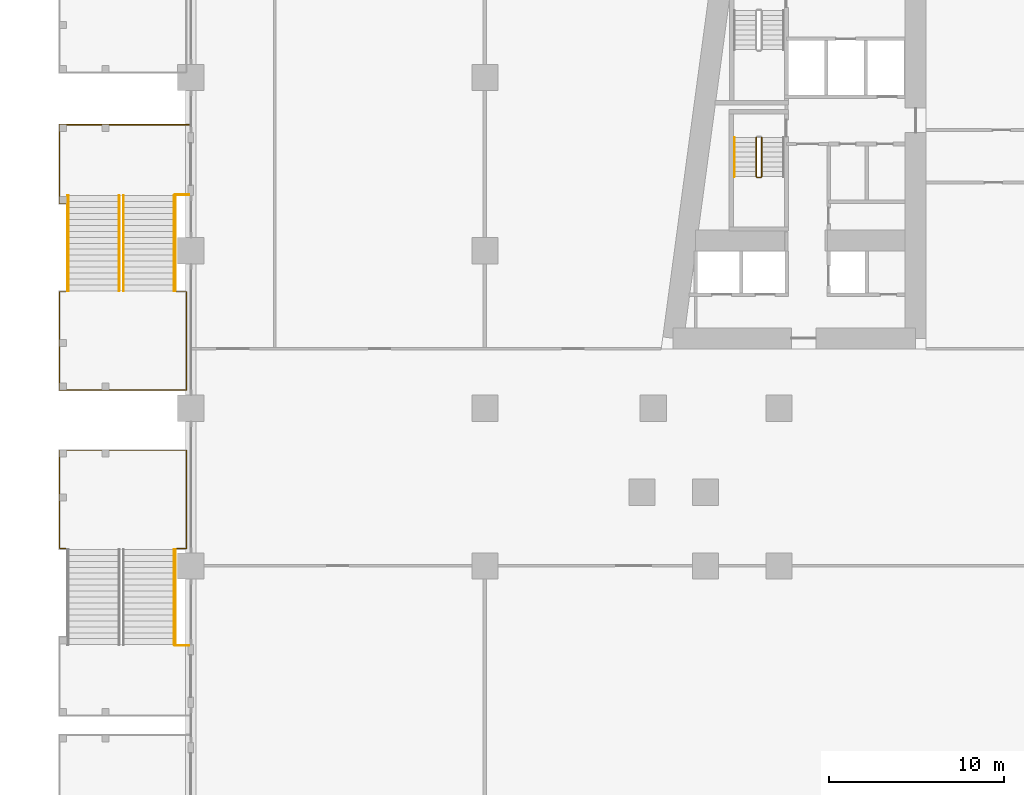
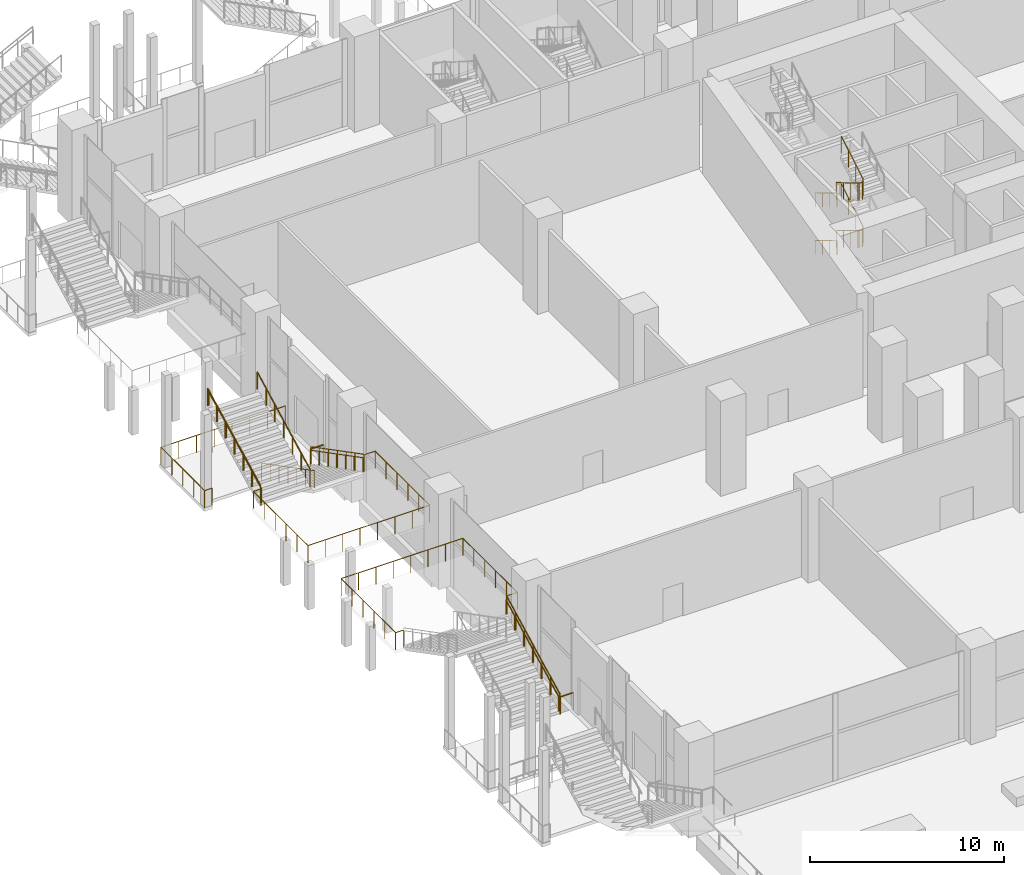
# One storey, part 34 of 47: 17 railings.
"""IFC4 building model written with IfcOpenShell, lengths in metres."""

from ifc_helpers import new_model, si_unit, direction, frame, origin, origin_2d, place, context, subcontext, project, spatial, circle, extrude, material, type_object, element, save


model = new_model("IFC4")

# Units and contexts
model_context = context("Model", 3, precision=1e-05, world=origin(), true_north=direction((0.0, 1.0)))
body_context = subcontext(model_context, "Body", "Model", "MODEL_VIEW")
ifc_project = project(units=[si_unit("LENGTHUNIT", "METRE"), si_unit("AREAUNIT", "SQUARE_METRE"), si_unit("VOLUMEUNIT", "CUBIC_METRE"), si_unit("PLANEANGLEUNIT", "RADIAN"), si_unit("MASSUNIT", "GRAM", prefix="KILO")], contexts=[model_context])

# Site, building, storey
site_placement = place(None, origin())
site = spatial("IfcSite", under=ifc_project, at=site_placement, CompositionType="ELEMENT")
building_placement = place(site_placement, origin())
building = spatial("IfcBuilding", under=site, at=building_placement, Name="Candeia Pilgrim Tower and Theatre", CompositionType="ELEMENT")
storey_placement = place(building_placement, frame((0.0, 0.0, 23.0)))
storey = spatial("IfcBuildingStorey", under=building, at=storey_placement, Name="L03", CompositionType="ELEMENT", Elevation=23.0)

# Railings
ifc_material_1 = material(Name="Stainless steel balustrade", Category="steel")
railing_type_1 = type_object("IfcRailingType", Name="RL-GUARD-1100", PredefinedType="GUARDRAIL", material=ifc_material_1)
railing_1_placement = place(storey_placement, frame((91.10205078125, 122.47509765625, 0.166748046875)))
element("IfcRailing", 1, at=railing_1_placement, inside=storey, type_object=railing_type_1, Name="L03 ST1 stair guard 1", PredefinedType="GUARDRAIL", context=body_context, shape_type="SweptSolid", body=[
    extrude(circle(Radius=0.02392578125, at=origin_2d()), frame((0.0, 0.0, 1.076171875), z_axis=(0.0, -0.859305625298, 0.511462454469), x_axis=(1.0, 0.0, 0.0)), (0.0, 0.0, 1.0), 2.606689453125),
    extrude(circle(Radius=0.02392578125, at=origin_2d()), frame((0.0, -2.239990234375, 2.4091796875), z_axis=(0.707106781187, -0.707106781187, 0.0), x_axis=(0.707106781187, 0.707106781187, 0.0)), (0.0, 0.0, 1.0), 0.07080078125),
    extrude(circle(Radius=0.02392578125, at=origin_2d()), frame((0.050048828125, -2.2900390625, 2.4091796875), z_axis=(1.0, 0.0, 0.0), x_axis=(0.0, 1.0, 0.0)), (0.0, 0.0, 1.0), 0.199951171875),
    extrude(circle(Radius=0.02392578125, at=origin_2d()), frame((0.25, -2.2900390625, 2.4091796875), z_axis=(0.27628659633, 0.27628659633, 0.920506074601), x_axis=(-0.707106781187, 0.707106781187, 0.0)), (0.0, 0.0, 1.0), 0.18115234375),
    extrude(circle(Radius=0.02392578125, at=origin_2d()), frame((0.300048828125, -2.239990234375, 2.576171875), z_axis=(0.0, 0.859305625298, 0.511462454469), x_axis=(-1.0, 0.0, 0.0)), (0.0, 0.0, 1.0), 2.606689453125),
    extrude(circle(Radius=0.02099609375, at=origin_2d()), origin(), (0.0, 0.0, 1.0), 1.052001953125),
    extrude(circle(Radius=0.02099609375, at=origin_2d()), frame((0.0, -0.74658203125, 0.4443359375)), (0.0, 0.0, 1.0), 1.052001953125),
    extrude(circle(Radius=0.02099609375, at=origin_2d()), frame((0.0, -1.493408203125, 0.888916015625)), (0.0, 0.0, 1.0), 1.052001953125),
    extrude(circle(Radius=0.02099609375, at=origin_2d()), frame((0.0, -2.239990234375, 1.333251953125)), (0.0, 0.0, 1.0), 1.052001953125),
    extrude(circle(Radius=0.02099609375, at=origin_2d()), frame((0.050048828125, -2.2900390625, 1.333251953125)), (0.0, 0.0, 1.0), 1.052001953125),
    extrude(circle(Radius=0.02099609375, at=origin_2d()), frame((0.25, -2.2900390625, 1.333251953125)), (0.0, 0.0, 1.0), 1.052001953125),
    extrude(circle(Radius=0.02099609375, at=origin_2d()), frame((0.300048828125, -2.239990234375, 1.5)), (0.0, 0.0, 1.0), 1.052001953125),
    extrude(circle(Radius=0.02099609375, at=origin_2d()), frame((0.300048828125, -1.493408203125, 1.9443359375)), (0.0, 0.0, 1.0), 1.052001953125),
    extrude(circle(Radius=0.02099609375, at=origin_2d()), frame((0.300048828125, -0.74658203125, 2.388916015625)), (0.0, 0.0, 1.0), 1.052001953125),
    extrude(circle(Radius=0.02099609375, at=origin_2d()), frame((0.300048828125, 0.0, 2.833251953125)), (0.0, 0.0, 1.0), 1.052001953125),
])
railing_2_placement = place(storey_placement, frame((91.10205078125, 122.47509765625, 3.166748046875)))
element("IfcRailing", 2, at=railing_2_placement, inside=storey, type_object=railing_type_1, Name="L03 ST1 stair guard 3", PredefinedType="GUARDRAIL", context=body_context, shape_type="SweptSolid", body=[
    extrude(circle(Radius=0.02392578125, at=origin_2d()), frame((0.0, 0.0, 1.076171875), z_axis=(0.0, -0.859305625298, 0.511462454469), x_axis=(1.0, 0.0, 0.0)), (0.0, 0.0, 1.0), 2.606689453125),
    extrude(circle(Radius=0.02392578125, at=origin_2d()), frame((0.0, -2.239990234375, 2.4091796875), z_axis=(0.707106781187, -0.707106781187, 0.0), x_axis=(0.707106781187, 0.707106781187, 0.0)), (0.0, 0.0, 1.0), 0.07080078125),
    extrude(circle(Radius=0.02392578125, at=origin_2d()), frame((0.050048828125, -2.2900390625, 2.4091796875), z_axis=(1.0, 0.0, 0.0), x_axis=(0.0, 1.0, 0.0)), (0.0, 0.0, 1.0), 0.199951171875),
    extrude(circle(Radius=0.02392578125, at=origin_2d()), frame((0.25, -2.2900390625, 2.4091796875), z_axis=(0.27628659633, 0.27628659633, 0.920506074601), x_axis=(-0.707106781187, 0.707106781187, 0.0)), (0.0, 0.0, 1.0), 0.18115234375),
    extrude(circle(Radius=0.02392578125, at=origin_2d()), frame((0.300048828125, -2.239990234375, 2.576171875), z_axis=(0.0, 0.859305625298, 0.511462454469), x_axis=(-1.0, 0.0, 0.0)), (0.0, 0.0, 1.0), 2.606689453125),
    extrude(circle(Radius=0.02099609375, at=origin_2d()), origin(), (0.0, 0.0, 1.0), 1.052001953125),
    extrude(circle(Radius=0.02099609375, at=origin_2d()), frame((0.0, -0.74658203125, 0.4443359375)), (0.0, 0.0, 1.0), 1.052001953125),
    extrude(circle(Radius=0.02099609375, at=origin_2d()), frame((0.0, -1.493408203125, 0.888916015625)), (0.0, 0.0, 1.0), 1.052001953125),
    extrude(circle(Radius=0.02099609375, at=origin_2d()), frame((0.0, -2.239990234375, 1.333251953125)), (0.0, 0.0, 1.0), 1.052001953125),
    extrude(circle(Radius=0.02099609375, at=origin_2d()), frame((0.050048828125, -2.2900390625, 1.333251953125)), (0.0, 0.0, 1.0), 1.052001953125),
    extrude(circle(Radius=0.02099609375, at=origin_2d()), frame((0.25, -2.2900390625, 1.333251953125)), (0.0, 0.0, 1.0), 1.052001953125),
    extrude(circle(Radius=0.02099609375, at=origin_2d()), frame((0.300048828125, -2.239990234375, 1.5)), (0.0, 0.0, 1.0), 1.052001953125),
    extrude(circle(Radius=0.02099609375, at=origin_2d()), frame((0.300048828125, -1.493408203125, 1.9443359375)), (0.0, 0.0, 1.0), 1.052001953125),
    extrude(circle(Radius=0.02099609375, at=origin_2d()), frame((0.300048828125, -0.74658203125, 2.388916015625)), (0.0, 0.0, 1.0), 1.052001953125),
    extrude(circle(Radius=0.02099609375, at=origin_2d()), frame((0.300048828125, 0.0, 2.833251953125)), (0.0, 0.0, 1.0), 1.052001953125),
])
railing_3_placement = place(storey_placement, frame((57.89990234375, 93.5, 0.176513671875)))
element("IfcRailing", 3, at=railing_3_placement, inside=storey, type_object=railing_type_1, Name="L03 ES12 stair guard 3", PredefinedType="GUARDRAIL", context=body_context, shape_type="SweptSolid", body=[
    extrude(circle(Radius=0.02392578125, at=origin_2d()), frame((0.0, 0.0, 1.076171875), z_axis=(0.0, 0.887569374008, 0.460674078198), x_axis=(-1.0, 0.0, 0.0)), (0.0, 0.0, 1.0), 6.129150390625),
    extrude(circle(Radius=0.02099609375, at=origin_2d()), origin(), (0.0, 0.0, 1.0), 1.052001953125),
    extrude(circle(Radius=0.02099609375, at=origin_2d()), frame((0.0, 0.90673828125, 0.470703125)), (0.0, 0.0, 1.0), 1.052001953125),
    extrude(circle(Radius=0.02099609375, at=origin_2d()), frame((0.0, 1.813232421875, 0.941162109375)), (0.0, 0.0, 1.0), 1.052001953125),
    extrude(circle(Radius=0.02099609375, at=origin_2d()), frame((0.0, 2.719970703125, 1.41162109375)), (0.0, 0.0, 1.0), 1.052001953125),
    extrude(circle(Radius=0.02099609375, at=origin_2d()), frame((0.0, 3.626708984375, 1.88232421875)), (0.0, 0.0, 1.0), 1.052001953125),
    extrude(circle(Radius=0.02099609375, at=origin_2d()), frame((0.0, 4.533203125, 2.35302734375)), (0.0, 0.0, 1.0), 1.052001953125),
    extrude(circle(Radius=0.02099609375, at=origin_2d()), frame((0.0, 5.43994140625, 2.823486328125)), (0.0, 0.0, 1.0), 1.052001953125),
])
railing_4_placement = place(storey_placement, frame((57.89990234375, 98.989990234375, 3.0)))
element("IfcRailing", 4, at=railing_4_placement, inside=storey, type_object=railing_type_1, Name="L03 ES12 stair guard 5", PredefinedType="GUARDRAIL", context=body_context, shape_type="SweptSolid", body=[
    extrude(circle(Radius=0.02392578125, at=origin_2d()), frame((0.0, 0.0, 1.076171875), z_axis=(1.0, 0.0, 0.0), x_axis=(0.0, 1.0, 0.0)), (0.0, 0.0, 1.0), 0.650146484375),
    extrude(circle(Radius=0.02392578125, at=origin_2d()), frame((0.650146484375, 0.0, 1.076171875), z_axis=(0.0, 1.0, 0.0), x_axis=(-1.0, 0.0, 0.0)), (0.0, 0.0, 1.0), 5.6201171875),
    extrude(circle(Radius=0.02392578125, at=origin_2d()), frame((0.650146484375, 5.6201171875, 1.076171875), z_axis=(-1.0, 0.0, 0.0), x_axis=(0.0, -1.0, 0.0)), (0.0, 0.0, 1.0), 7.25),
    extrude(circle(Radius=0.02392578125, at=origin_2d()), frame((-6.599853515625, 5.6201171875, 1.076171875), z_axis=(0.0, -1.0, 0.0), x_axis=(1.0, 0.0, 0.0)), (0.0, 0.0, 1.0), 5.6201171875),
    extrude(circle(Radius=0.02392578125, at=origin_2d()), frame((-6.599853515625, 0.0, 1.076171875), z_axis=(1.0, 0.0, 0.0), x_axis=(0.0, 1.0, 0.0)), (0.0, 0.0, 1.0), 0.449951171875),
    extrude(circle(Radius=0.02099609375, at=origin_2d()), origin(), (0.0, 0.0, 1.0), 1.052001953125),
    extrude(circle(Radius=0.02099609375, at=origin_2d()), frame((0.650146484375, 0.0, 0.0)), (0.0, 0.0, 1.0), 1.052001953125),
    extrude(circle(Radius=0.02099609375, at=origin_2d()), frame((0.650146484375, 1.1240234375, 0.0)), (0.0, 0.0, 1.0), 1.052001953125),
    extrude(circle(Radius=0.02099609375, at=origin_2d()), frame((0.650146484375, 2.248046875, 0.0)), (0.0, 0.0, 1.0), 1.052001953125),
    extrude(circle(Radius=0.02099609375, at=origin_2d()), frame((0.650146484375, 3.3720703125, 0.0)), (0.0, 0.0, 1.0), 1.052001953125),
    extrude(circle(Radius=0.02099609375, at=origin_2d()), frame((0.650146484375, 4.49609375, 0.0)), (0.0, 0.0, 1.0), 1.052001953125),
    extrude(circle(Radius=0.02099609375, at=origin_2d()), frame((0.650146484375, 5.6201171875, 0.0)), (0.0, 0.0, 1.0), 1.052001953125),
    extrude(circle(Radius=0.02099609375, at=origin_2d()), frame((-0.385498046875, 5.6201171875, 0.0)), (0.0, 0.0, 1.0), 1.052001953125),
    extrude(circle(Radius=0.02099609375, at=origin_2d()), frame((-1.42138671875, 5.6201171875, 0.0)), (0.0, 0.0, 1.0), 1.052001953125),
    extrude(circle(Radius=0.02099609375, at=origin_2d()), frame((-2.45703125, 5.6201171875, 0.0)), (0.0, 0.0, 1.0), 1.052001953125),
    extrude(circle(Radius=0.02099609375, at=origin_2d()), frame((-3.49267578125, 5.6201171875, 0.0)), (0.0, 0.0, 1.0), 1.052001953125),
    extrude(circle(Radius=0.02099609375, at=origin_2d()), frame((-4.5283203125, 5.6201171875, 0.0)), (0.0, 0.0, 1.0), 1.052001953125),
    extrude(circle(Radius=0.02099609375, at=origin_2d()), frame((-5.564208984375, 5.6201171875, 0.0)), (0.0, 0.0, 1.0), 1.052001953125),
    extrude(circle(Radius=0.02099609375, at=origin_2d()), frame((-6.599853515625, 5.6201171875, 0.0)), (0.0, 0.0, 1.0), 1.052001953125),
    extrude(circle(Radius=0.02099609375, at=origin_2d()), frame((-6.599853515625, 4.49609375, 0.0)), (0.0, 0.0, 1.0), 1.052001953125),
    extrude(circle(Radius=0.02099609375, at=origin_2d()), frame((-6.599853515625, 3.3720703125, 0.0)), (0.0, 0.0, 1.0), 1.052001953125),
    extrude(circle(Radius=0.02099609375, at=origin_2d()), frame((-6.599853515625, 2.248046875, 0.0)), (0.0, 0.0, 1.0), 1.052001953125),
    extrude(circle(Radius=0.02099609375, at=origin_2d()), frame((-6.599853515625, 1.1240234375, 0.0)), (0.0, 0.0, 1.0), 1.052001953125),
    extrude(circle(Radius=0.02099609375, at=origin_2d()), frame((-6.599853515625, 0.0, 0.0)), (0.0, 0.0, 1.0), 1.052001953125),
    extrude(circle(Radius=0.02099609375, at=origin_2d()), frame((-6.14990234375, 0.0, 0.0)), (0.0, 0.0, 1.0), 1.052001953125),
])
railing_5_placement = place(storey_placement, frame((58.699951171875, 93.449951171875, 0.0)))
element("IfcRailing", 5, at=railing_5_placement, inside=storey, type_object=railing_type_1, Name="L03 External escape stair ES12 bridge guard", PredefinedType="GUARDRAIL", context=body_context, shape_type="SweptSolid", body=[
    extrude(circle(Radius=0.02392578125, at=origin_2d()), frame((0.0, 0.0, 1.076171875), z_axis=(-1.0, 0.0, 0.0), x_axis=(0.0, -1.0, 0.0)), (0.0, 0.0, 1.0), 0.800048828125),
    extrude(circle(Radius=0.02099609375, at=origin_2d()), origin(), (0.0, 0.0, 1.0), 1.052001953125),
    extrude(circle(Radius=0.02099609375, at=origin_2d()), frame((-0.800048828125, 0.0, 0.0)), (0.0, 0.0, 1.0), 1.052001953125),
])
railing_6_placement = place(storey_placement, frame((54.949951171875, 119.14990234375, 0.176513671875)))
element("IfcRailing", 6, at=railing_6_placement, inside=storey, type_object=railing_type_1, Name="L03 ES15 stair guard 1", PredefinedType="GUARDRAIL", context=body_context, shape_type="SweptSolid", body=[
    extrude(circle(Radius=0.02392578125, at=origin_2d()), frame((0.0, 0.0, 1.076171875), z_axis=(0.0, -0.887569374008, 0.460674078198), x_axis=(1.0, 0.0, 0.0)), (0.0, 0.0, 1.0), 6.129150390625),
    extrude(circle(Radius=0.02099609375, at=origin_2d()), origin(), (0.0, 0.0, 1.0), 1.052001953125),
    extrude(circle(Radius=0.02099609375, at=origin_2d()), frame((0.0, -0.90673828125, 0.470703125)), (0.0, 0.0, 1.0), 1.052001953125),
    extrude(circle(Radius=0.02099609375, at=origin_2d()), frame((0.0, -1.813232421875, 0.941162109375)), (0.0, 0.0, 1.0), 1.052001953125),
    extrude(circle(Radius=0.02099609375, at=origin_2d()), frame((0.0, -2.719970703125, 1.41162109375)), (0.0, 0.0, 1.0), 1.052001953125),
    extrude(circle(Radius=0.02099609375, at=origin_2d()), frame((0.0, -3.626708984375, 1.88232421875)), (0.0, 0.0, 1.0), 1.052001953125),
    extrude(circle(Radius=0.02099609375, at=origin_2d()), frame((0.0, -4.533203125, 2.35302734375)), (0.0, 0.0, 1.0), 1.052001953125),
    extrude(circle(Radius=0.02099609375, at=origin_2d()), frame((0.0, -5.43994140625, 2.823486328125)), (0.0, 0.0, 1.0), 1.052001953125),
])
railing_7_placement = place(storey_placement, frame((54.699951171875, 113.7099609375, 3.176513671875)))
element("IfcRailing", 7, at=railing_7_placement, inside=storey, type_object=railing_type_1, Name="L03 ES15 stair guard 2", PredefinedType="GUARDRAIL", context=body_context, shape_type="SweptSolid", body=[
    extrude(circle(Radius=0.02392578125, at=origin_2d()), frame((0.0, 0.0, 1.076171875), z_axis=(0.0, 0.887569374008, 0.460674078198), x_axis=(-1.0, 0.0, 0.0)), (0.0, 0.0, 1.0), 6.129150390625),
    extrude(circle(Radius=0.02099609375, at=origin_2d()), origin(), (0.0, 0.0, 1.0), 1.052001953125),
    extrude(circle(Radius=0.02099609375, at=origin_2d()), frame((0.0, 0.90673828125, 0.470703125)), (0.0, 0.0, 1.0), 1.052001953125),
    extrude(circle(Radius=0.02099609375, at=origin_2d()), frame((0.0, 1.813232421875, 0.941162109375)), (0.0, 0.0, 1.0), 1.052001953125),
    extrude(circle(Radius=0.02099609375, at=origin_2d()), frame((0.0, 2.719970703125, 1.41162109375)), (0.0, 0.0, 1.0), 1.052001953125),
    extrude(circle(Radius=0.02099609375, at=origin_2d()), frame((0.0, 3.626708984375, 1.88232421875)), (0.0, 0.0, 1.0), 1.052001953125),
    extrude(circle(Radius=0.02099609375, at=origin_2d()), frame((0.0, 4.533203125, 2.35302734375)), (0.0, 0.0, 1.0), 1.052001953125),
    extrude(circle(Radius=0.02099609375, at=origin_2d()), frame((0.0, 5.43994140625, 2.823486328125)), (0.0, 0.0, 1.0), 1.052001953125),
])
railing_8_placement = place(storey_placement, frame((57.89990234375, 119.14990234375, 0.176513671875)))
element("IfcRailing", 8, at=railing_8_placement, inside=storey, type_object=railing_type_1, Name="L03 ES15 stair guard 3", PredefinedType="GUARDRAIL", context=body_context, shape_type="SweptSolid", body=[
    extrude(circle(Radius=0.02392578125, at=origin_2d()), frame((0.0, 0.0, 1.076171875), z_axis=(0.0, -0.887569374008, 0.460674078198), x_axis=(1.0, 0.0, 0.0)), (0.0, 0.0, 1.0), 6.129150390625),
    extrude(circle(Radius=0.02099609375, at=origin_2d()), origin(), (0.0, 0.0, 1.0), 1.052001953125),
    extrude(circle(Radius=0.02099609375, at=origin_2d()), frame((0.0, -0.90673828125, 0.470703125)), (0.0, 0.0, 1.0), 1.052001953125),
    extrude(circle(Radius=0.02099609375, at=origin_2d()), frame((0.0, -1.813232421875, 0.941162109375)), (0.0, 0.0, 1.0), 1.052001953125),
    extrude(circle(Radius=0.02099609375, at=origin_2d()), frame((0.0, -2.719970703125, 1.41162109375)), (0.0, 0.0, 1.0), 1.052001953125),
    extrude(circle(Radius=0.02099609375, at=origin_2d()), frame((0.0, -3.626708984375, 1.88232421875)), (0.0, 0.0, 1.0), 1.052001953125),
    extrude(circle(Radius=0.02099609375, at=origin_2d()), frame((0.0, -4.533203125, 2.35302734375)), (0.0, 0.0, 1.0), 1.052001953125),
    extrude(circle(Radius=0.02099609375, at=origin_2d()), frame((0.0, -5.43994140625, 2.823486328125)), (0.0, 0.0, 1.0), 1.052001953125),
])
railing_9_placement = place(storey_placement, frame((51.75, 113.7099609375, 3.176513671875)))
element("IfcRailing", 9, at=railing_9_placement, inside=storey, type_object=railing_type_1, Name="L03 ES15 stair guard 4", PredefinedType="GUARDRAIL", context=body_context, shape_type="SweptSolid", body=[
    extrude(circle(Radius=0.02392578125, at=origin_2d()), frame((0.0, 0.0, 1.076171875), z_axis=(0.0, 0.887569374008, 0.460674078198), x_axis=(-1.0, 0.0, 0.0)), (0.0, 0.0, 1.0), 6.129150390625),
    extrude(circle(Radius=0.02099609375, at=origin_2d()), origin(), (0.0, 0.0, 1.0), 1.052001953125),
    extrude(circle(Radius=0.02099609375, at=origin_2d()), frame((0.0, 0.90673828125, 0.470703125)), (0.0, 0.0, 1.0), 1.052001953125),
    extrude(circle(Radius=0.02099609375, at=origin_2d()), frame((0.0, 1.813232421875, 0.941162109375)), (0.0, 0.0, 1.0), 1.052001953125),
    extrude(circle(Radius=0.02099609375, at=origin_2d()), frame((0.0, 2.719970703125, 1.41162109375)), (0.0, 0.0, 1.0), 1.052001953125),
    extrude(circle(Radius=0.02099609375, at=origin_2d()), frame((0.0, 3.626708984375, 1.88232421875)), (0.0, 0.0, 1.0), 1.052001953125),
    extrude(circle(Radius=0.02099609375, at=origin_2d()), frame((0.0, 4.533203125, 2.35302734375)), (0.0, 0.0, 1.0), 1.052001953125),
    extrude(circle(Radius=0.02099609375, at=origin_2d()), frame((0.0, 5.43994140625, 2.823486328125)), (0.0, 0.0, 1.0), 1.052001953125),
])
railing_10_placement = place(storey_placement, frame((57.89990234375, 113.659912109375, 3.0)))
element("IfcRailing", 10, at=railing_10_placement, inside=storey, type_object=railing_type_1, Name="L03 ES15 stair guard 5", PredefinedType="GUARDRAIL", context=body_context, shape_type="SweptSolid", body=[
    extrude(circle(Radius=0.02392578125, at=origin_2d()), frame((0.0, 0.0, 1.076171875), z_axis=(1.0, 0.0, 0.0), x_axis=(0.0, 1.0, 0.0)), (0.0, 0.0, 1.0), 0.650146484375),
    extrude(circle(Radius=0.02392578125, at=origin_2d()), frame((0.650146484375, 0.0, 1.076171875), z_axis=(0.0, -1.0, 0.0), x_axis=(1.0, 0.0, 0.0)), (0.0, 0.0, 1.0), 5.619873046875),
    extrude(circle(Radius=0.02392578125, at=origin_2d()), frame((0.650146484375, -5.619873046875, 1.076171875), z_axis=(-1.0, 0.0, 0.0), x_axis=(0.0, -1.0, 0.0)), (0.0, 0.0, 1.0), 7.25),
    extrude(circle(Radius=0.02392578125, at=origin_2d()), frame((-6.599853515625, -5.619873046875, 1.076171875), z_axis=(0.0, 1.0, 0.0), x_axis=(-1.0, 0.0, 0.0)), (0.0, 0.0, 1.0), 5.619873046875),
    extrude(circle(Radius=0.02392578125, at=origin_2d()), frame((-6.599853515625, 0.0, 1.076171875), z_axis=(1.0, 0.0, 0.0), x_axis=(0.0, 1.0, 0.0)), (0.0, 0.0, 1.0), 0.449951171875),
    extrude(circle(Radius=0.02099609375, at=origin_2d()), origin(), (0.0, 0.0, 1.0), 1.052001953125),
    extrude(circle(Radius=0.02099609375, at=origin_2d()), frame((0.650146484375, 0.0, 0.0)), (0.0, 0.0, 1.0), 1.052001953125),
    extrude(circle(Radius=0.02099609375, at=origin_2d()), frame((0.650146484375, -1.1240234375, 0.0)), (0.0, 0.0, 1.0), 1.052001953125),
    extrude(circle(Radius=0.02099609375, at=origin_2d()), frame((0.650146484375, -2.248046875, 0.0)), (0.0, 0.0, 1.0), 1.052001953125),
    extrude(circle(Radius=0.02099609375, at=origin_2d()), frame((0.650146484375, -3.371826171875, 0.0)), (0.0, 0.0, 1.0), 1.052001953125),
    extrude(circle(Radius=0.02099609375, at=origin_2d()), frame((0.650146484375, -4.495849609375, 0.0)), (0.0, 0.0, 1.0), 1.052001953125),
    extrude(circle(Radius=0.02099609375, at=origin_2d()), frame((0.650146484375, -5.619873046875, 0.0)), (0.0, 0.0, 1.0), 1.052001953125),
    extrude(circle(Radius=0.02099609375, at=origin_2d()), frame((-0.385498046875, -5.619873046875, 0.0)), (0.0, 0.0, 1.0), 1.052001953125),
    extrude(circle(Radius=0.02099609375, at=origin_2d()), frame((-1.42138671875, -5.619873046875, 0.0)), (0.0, 0.0, 1.0), 1.052001953125),
    extrude(circle(Radius=0.02099609375, at=origin_2d()), frame((-2.45703125, -5.619873046875, 0.0)), (0.0, 0.0, 1.0), 1.052001953125),
    extrude(circle(Radius=0.02099609375, at=origin_2d()), frame((-3.49267578125, -5.619873046875, 0.0)), (0.0, 0.0, 1.0), 1.052001953125),
    extrude(circle(Radius=0.02099609375, at=origin_2d()), frame((-4.5283203125, -5.619873046875, 0.0)), (0.0, 0.0, 1.0), 1.052001953125),
    extrude(circle(Radius=0.02099609375, at=origin_2d()), frame((-5.564208984375, -5.619873046875, 0.0)), (0.0, 0.0, 1.0), 1.052001953125),
    extrude(circle(Radius=0.02099609375, at=origin_2d()), frame((-6.599853515625, -5.619873046875, 0.0)), (0.0, 0.0, 1.0), 1.052001953125),
    extrude(circle(Radius=0.02099609375, at=origin_2d()), frame((-6.599853515625, -4.495849609375, 0.0)), (0.0, 0.0, 1.0), 1.052001953125),
    extrude(circle(Radius=0.02099609375, at=origin_2d()), frame((-6.599853515625, -3.371826171875, 0.0)), (0.0, 0.0, 1.0), 1.052001953125),
    extrude(circle(Radius=0.02099609375, at=origin_2d()), frame((-6.599853515625, -2.248046875, 0.0)), (0.0, 0.0, 1.0), 1.052001953125),
    extrude(circle(Radius=0.02099609375, at=origin_2d()), frame((-6.599853515625, -1.1240234375, 0.0)), (0.0, 0.0, 1.0), 1.052001953125),
    extrude(circle(Radius=0.02099609375, at=origin_2d()), frame((-6.599853515625, 0.0, 0.0)), (0.0, 0.0, 1.0), 1.052001953125),
    extrude(circle(Radius=0.02099609375, at=origin_2d()), frame((-6.14990234375, 0.0, 0.0)), (0.0, 0.0, 1.0), 1.052001953125),
])
railing_11_placement = place(storey_placement, frame((58.699951171875, 123.199951171875, 0.0)))
element("IfcRailing", 11, at=railing_11_placement, inside=storey, type_object=railing_type_1, Name="L03 External escape stair ES15 landing guard", PredefinedType="GUARDRAIL", context=body_context, shape_type="SweptSolid", body=[
    extrude(circle(Radius=0.02392578125, at=origin_2d()), frame((0.0, 0.0, 1.076171875), z_axis=(-1.0, 0.0, 0.0), x_axis=(0.0, -1.0, 0.0)), (0.0, 0.0, 1.0), 7.39990234375),
    extrude(circle(Radius=0.02392578125, at=origin_2d()), frame((-7.39990234375, 0.0, 1.076171875), z_axis=(0.0, -1.0, 0.0), x_axis=(1.0, 0.0, 0.0)), (0.0, 0.0, 1.0), 4.5),
    extrude(circle(Radius=0.02392578125, at=origin_2d()), frame((-7.39990234375, -4.5, 1.076171875), z_axis=(1.0, 0.0, 0.0), x_axis=(0.0, 1.0, 0.0)), (0.0, 0.0, 1.0), 0.449951171875),
    extrude(circle(Radius=0.02099609375, at=origin_2d()), origin(), (0.0, 0.0, 1.0), 1.052001953125),
    extrude(circle(Radius=0.02099609375, at=origin_2d()), frame((-1.05712890625, 0.0, 0.0)), (0.0, 0.0, 1.0), 1.052001953125),
    extrude(circle(Radius=0.02099609375, at=origin_2d()), frame((-2.1142578125, 0.0, 0.0)), (0.0, 0.0, 1.0), 1.052001953125),
    extrude(circle(Radius=0.02099609375, at=origin_2d()), frame((-3.17138671875, 0.0, 0.0)), (0.0, 0.0, 1.0), 1.052001953125),
    extrude(circle(Radius=0.02099609375, at=origin_2d()), frame((-4.228515625, 0.0, 0.0)), (0.0, 0.0, 1.0), 1.052001953125),
    extrude(circle(Radius=0.02099609375, at=origin_2d()), frame((-5.28564453125, 0.0, 0.0)), (0.0, 0.0, 1.0), 1.052001953125),
    extrude(circle(Radius=0.02099609375, at=origin_2d()), frame((-6.3427734375, 0.0, 0.0)), (0.0, 0.0, 1.0), 1.052001953125),
    extrude(circle(Radius=0.02099609375, at=origin_2d()), frame((-7.39990234375, 0.0, 0.0)), (0.0, 0.0, 1.0), 1.052001953125),
    extrude(circle(Radius=0.02099609375, at=origin_2d()), frame((-7.39990234375, -1.125, 0.0)), (0.0, 0.0, 1.0), 1.052001953125),
    extrude(circle(Radius=0.02099609375, at=origin_2d()), frame((-7.39990234375, -2.25, 0.0)), (0.0, 0.0, 1.0), 1.052001953125),
    extrude(circle(Radius=0.02099609375, at=origin_2d()), frame((-7.39990234375, -3.375, 0.0)), (0.0, 0.0, 1.0), 1.052001953125),
    extrude(circle(Radius=0.02099609375, at=origin_2d()), frame((-7.39990234375, -4.5, 0.0)), (0.0, 0.0, 1.0), 1.052001953125),
    extrude(circle(Radius=0.02099609375, at=origin_2d()), frame((-6.949951171875, -4.5, 0.0)), (0.0, 0.0, 1.0), 1.052001953125),
])
railing_12_placement = place(storey_placement, frame((58.699951171875, 119.199951171875, 0.0)))
element("IfcRailing", 12, at=railing_12_placement, inside=storey, type_object=railing_type_1, Name="L03 External escape stair ES15 bridge guard", PredefinedType="GUARDRAIL", context=body_context, shape_type="SweptSolid", body=[
    extrude(circle(Radius=0.02392578125, at=origin_2d()), frame((0.0, 0.0, 1.076171875), z_axis=(-1.0, 0.0, 0.0), x_axis=(0.0, -1.0, 0.0)), (0.0, 0.0, 1.0), 0.800048828125),
    extrude(circle(Radius=0.02099609375, at=origin_2d()), origin(), (0.0, 0.0, 1.0), 1.052001953125),
    extrude(circle(Radius=0.02099609375, at=origin_2d()), frame((-0.800048828125, 0.0, 0.0)), (0.0, 0.0, 1.0), 1.052001953125),
])
ifc_material_2 = material(Name="Stainless steel handrail", Category="steel")
railing_type_2 = type_object("IfcRailingType", Name="RL-HANDRAIL-900", PredefinedType="HANDRAIL", material=ifc_material_2)
for number, where, name in (
    (13, (89.85205078125, 122.47509765625, 0.166748046875), "L03 ST1 stair handrail 1"),
    (14, (89.85205078125, 122.47509765625, 3.166748046875), "L03 ST1 stair handrail 3"),
):
    element("IfcRailing", number, at=place(storey_placement, frame(where)), inside=storey, type_object=railing_type_2, Name=name, PredefinedType="HANDRAIL", context=body_context, shape_type="SweptSolid", body=[
        extrude(circle(Radius=0.02392578125, at=origin_2d()), frame((0.0, 0.0, 0.8759765625), z_axis=(0.0, -0.859305625298, 0.511462454469), x_axis=(1.0, 0.0, 0.0)), (0.0, 0.0, 1.0), 2.606689453125),
        extrude(circle(Radius=0.02099609375, at=origin_2d()), origin(), (0.0, 0.0, 1.0), 0.851806640625),
        extrude(circle(Radius=0.02099609375, at=origin_2d()), frame((0.0, -0.74658203125, 0.4443359375)), (0.0, 0.0, 1.0), 0.851806640625),
        extrude(circle(Radius=0.02099609375, at=origin_2d()), frame((0.0, -1.493408203125, 0.888916015625)), (0.0, 0.0, 1.0), 0.851806640625),
        extrude(circle(Radius=0.02099609375, at=origin_2d()), frame((0.0, -2.239990234375, 1.333251953125)), (0.0, 0.0, 1.0), 0.851806640625),
    ])
railing_13_placement = place(storey_placement, frame((57.85009765625, 93.5, 0.176513671875)))
element("IfcRailing", 15, at=railing_13_placement, inside=storey, type_object=railing_type_2, Name="L03 ES12 stair handrail 1", PredefinedType="HANDRAIL", context=body_context, shape_type="SweptSolid", body=[
    extrude(circle(Radius=0.02392578125, at=origin_2d()), frame((0.0, 0.0, 0.8759765625), z_axis=(0.0, 0.887569374008, 0.460674078198), x_axis=(-1.0, 0.0, 0.0)), (0.0, 0.0, 1.0), 6.129150390625),
    extrude(circle(Radius=0.02099609375, at=origin_2d()), origin(), (0.0, 0.0, 1.0), 0.851806640625),
    extrude(circle(Radius=0.02099609375, at=origin_2d()), frame((0.0, 0.90673828125, 0.470703125)), (0.0, 0.0, 1.0), 0.851806640625),
    extrude(circle(Radius=0.02099609375, at=origin_2d()), frame((0.0, 1.813232421875, 0.941162109375)), (0.0, 0.0, 1.0), 0.851806640625),
    extrude(circle(Radius=0.02099609375, at=origin_2d()), frame((0.0, 2.719970703125, 1.41162109375)), (0.0, 0.0, 1.0), 0.851806640625),
    extrude(circle(Radius=0.02099609375, at=origin_2d()), frame((0.0, 3.626708984375, 1.88232421875)), (0.0, 0.0, 1.0), 0.851806640625),
    extrude(circle(Radius=0.02099609375, at=origin_2d()), frame((0.0, 4.533203125, 2.35302734375)), (0.0, 0.0, 1.0), 0.851806640625),
    extrude(circle(Radius=0.02099609375, at=origin_2d()), frame((0.0, 5.43994140625, 2.823486328125)), (0.0, 0.0, 1.0), 0.851806640625),
])
railing_14_placement = place(storey_placement, frame((57.85009765625, 119.14990234375, 0.176513671875)))
element("IfcRailing", 16, at=railing_14_placement, inside=storey, type_object=railing_type_2, Name="L03 ES15 stair handrail 1", PredefinedType="HANDRAIL", context=body_context, shape_type="SweptSolid", body=[
    extrude(circle(Radius=0.02392578125, at=origin_2d()), frame((0.0, 0.0, 0.8759765625), z_axis=(0.0, -0.887569374008, 0.460674078198), x_axis=(1.0, 0.0, 0.0)), (0.0, 0.0, 1.0), 6.129150390625),
    extrude(circle(Radius=0.02099609375, at=origin_2d()), origin(), (0.0, 0.0, 1.0), 0.851806640625),
    extrude(circle(Radius=0.02099609375, at=origin_2d()), frame((0.0, -0.90673828125, 0.470703125)), (0.0, 0.0, 1.0), 0.851806640625),
    extrude(circle(Radius=0.02099609375, at=origin_2d()), frame((0.0, -1.813232421875, 0.941162109375)), (0.0, 0.0, 1.0), 0.851806640625),
    extrude(circle(Radius=0.02099609375, at=origin_2d()), frame((0.0, -2.719970703125, 1.41162109375)), (0.0, 0.0, 1.0), 0.851806640625),
    extrude(circle(Radius=0.02099609375, at=origin_2d()), frame((0.0, -3.626708984375, 1.88232421875)), (0.0, 0.0, 1.0), 0.851806640625),
    extrude(circle(Radius=0.02099609375, at=origin_2d()), frame((0.0, -4.533203125, 2.35302734375)), (0.0, 0.0, 1.0), 0.851806640625),
    extrude(circle(Radius=0.02099609375, at=origin_2d()), frame((0.0, -5.43994140625, 2.823486328125)), (0.0, 0.0, 1.0), 0.851806640625),
])
railing_15_placement = place(storey_placement, frame((51.800048828125, 113.7099609375, 3.176513671875)))
element("IfcRailing", 17, at=railing_15_placement, inside=storey, type_object=railing_type_2, Name="L03 ES15 stair handrail 2", PredefinedType="HANDRAIL", context=body_context, shape_type="SweptSolid", body=[
    extrude(circle(Radius=0.02392578125, at=origin_2d()), frame((0.0, 0.0, 0.8759765625), z_axis=(0.0, 0.887569374008, 0.460674078198), x_axis=(-1.0, 0.0, 0.0)), (0.0, 0.0, 1.0), 6.129150390625),
    extrude(circle(Radius=0.02099609375, at=origin_2d()), origin(), (0.0, 0.0, 1.0), 0.851806640625),
    extrude(circle(Radius=0.02099609375, at=origin_2d()), frame((0.0, 0.90673828125, 0.470703125)), (0.0, 0.0, 1.0), 0.851806640625),
    extrude(circle(Radius=0.02099609375, at=origin_2d()), frame((0.0, 1.813232421875, 0.941162109375)), (0.0, 0.0, 1.0), 0.851806640625),
    extrude(circle(Radius=0.02099609375, at=origin_2d()), frame((0.0, 2.719970703125, 1.41162109375)), (0.0, 0.0, 1.0), 0.851806640625),
    extrude(circle(Radius=0.02099609375, at=origin_2d()), frame((0.0, 3.626708984375, 1.88232421875)), (0.0, 0.0, 1.0), 0.851806640625),
    extrude(circle(Radius=0.02099609375, at=origin_2d()), frame((0.0, 4.533203125, 2.35302734375)), (0.0, 0.0, 1.0), 0.851806640625),
    extrude(circle(Radius=0.02099609375, at=origin_2d()), frame((0.0, 5.43994140625, 2.823486328125)), (0.0, 0.0, 1.0), 0.851806640625),
])

save(model, "model.ifc")
